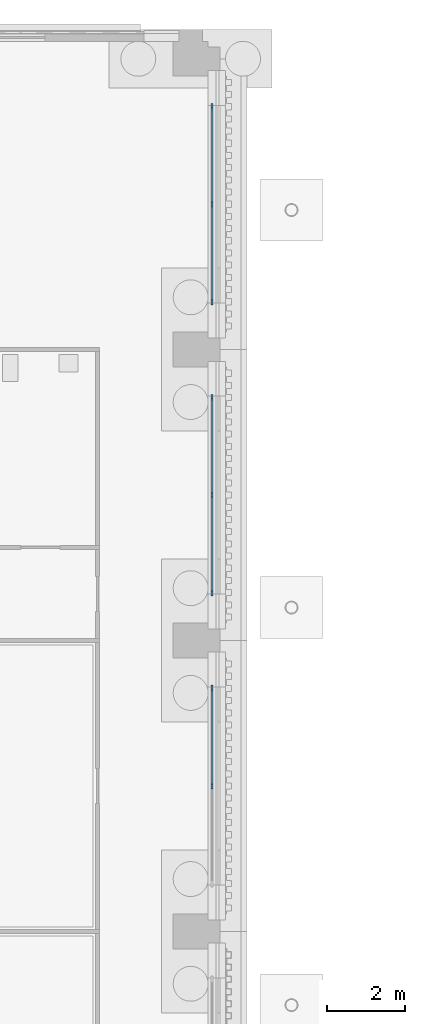
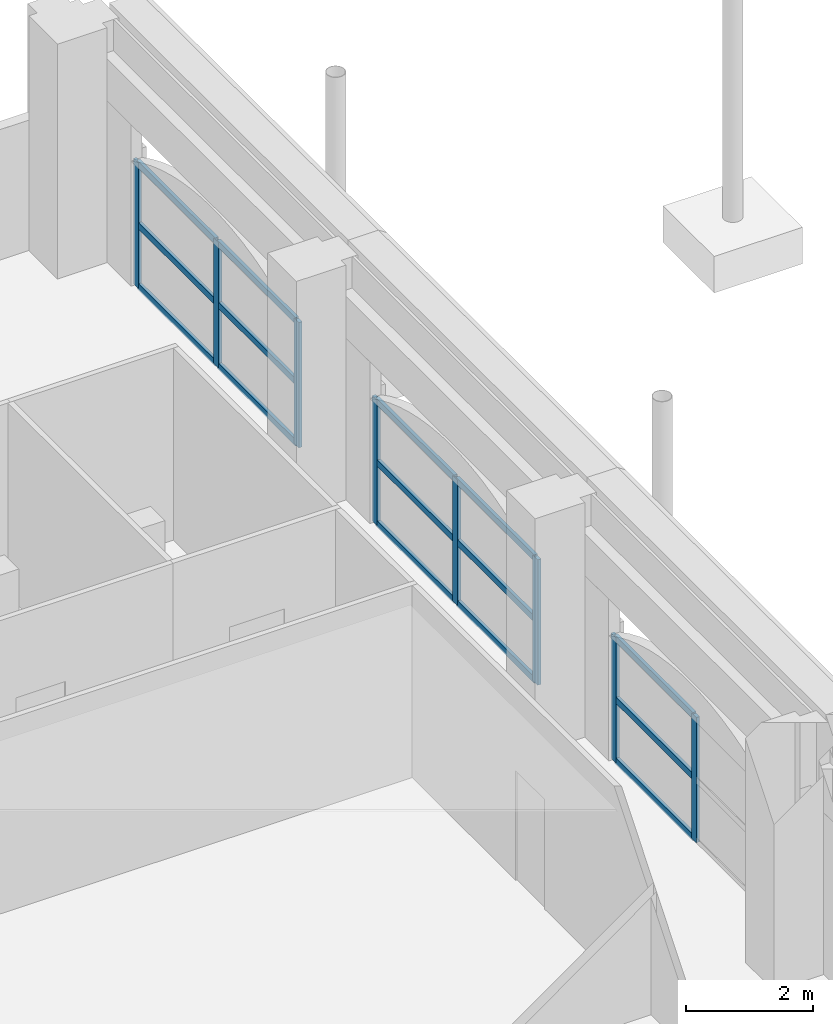
# One storey, part 24 of 99: 23 members, 3 elements without a shape of their own.
"""IFC4 building model written with IfcOpenShell, lengths in metres."""

from ifc_helpers import new_model, si_unit, direction, frame, origin, origin_2d, place, context, subcontext, project, spatial, rectangle, extrude, material, layer, layer_set, material_profile, profile_set, type_object, element, aggregate, save


model = new_model("IFC4")

# Units and contexts
model_context = context("Model", 3, precision=1e-05, world=origin(), true_north=direction((0.0, 1.0)))
body_context = subcontext(model_context, "Body", "Model", "MODEL_VIEW")
ifc_project = project(units=[si_unit("LENGTHUNIT", "METRE"), si_unit("AREAUNIT", "SQUARE_METRE"), si_unit("VOLUMEUNIT", "CUBIC_METRE"), si_unit("PLANEANGLEUNIT", "RADIAN"), si_unit("MASSUNIT", "GRAM", prefix="KILO")], contexts=[model_context])

# Site, building, storey
site_placement = place(None, origin())
site = spatial("IfcSite", under=ifc_project, at=site_placement, CompositionType="ELEMENT")
building_placement = place(site_placement, origin())
building = spatial("IfcBuilding", under=site, at=building_placement, Name="Cour d'Honneur Mobility Palace", CompositionType="ELEMENT")
storey_placement = place(building_placement, origin())
storey = spatial("IfcBuildingStorey", under=building, at=storey_placement, Name="L00", CompositionType="ELEMENT", Elevation=0.0)

# Curtain wall, members
ifc_material_1 = material(Name="Aluminium and glass", Category="aluminium")
ifc_layer = layer(ifc_material_1, 0.10009765625)
ifc_layer_set = layer_set([ifc_layer], Name="Aluminium and glass")
curtain_wall_type = type_object("IfcCurtainWallType", Name="Curtain wall run", PredefinedType="NOTDEFINED", material=ifc_layer_set)
curtain_wall_1_placement = place(storey_placement, origin())
curtain_wall_1 = element("IfcCurtainWall", 1, at=curtain_wall_1_placement, inside=storey, type_object=curtain_wall_type, Name="Curtain wall CW-13", PredefinedType="NOTDEFINED")
ifc_material_2 = material(Name="Aluminium", Category="aluminium")
ifc_material_profile_1 = material_profile(ifc_material_2, rectangle(XDim=0.06005859375, YDim=0.159912109375, at=origin_2d()), Name="Curtain wall mullion")
ifc_profile_set_1 = profile_set([ifc_material_profile_1], Name="Aluminium")
member_type_1 = type_object("IfcMemberType", Name="Curtain wall mullion", PredefinedType="MULLION", material=ifc_profile_set_1)
member_1_placement = place(storey_placement, frame((17.949951171875, 96.14990234375, 0.0), z_axis=(0.0, 0.0, 1.0), x_axis=(-1.0, 0.0, 0.0)))
member_1 = element("IfcMember", 2, at=member_1_placement, type_object=member_type_1, Name="CW-13 mullion 2", PredefinedType="MULLION", context=body_context, shape_type="SweptSolid", body=[
    extrude(rectangle(XDim=0.06005859375, YDim=0.159912109375, at=origin_2d()), origin(), (0.0, 0.0, 1.0), 2.39990234375),
])
member_2_placement = place(storey_placement, frame((17.949951171875, 98.669921875, 0.0), z_axis=(0.0, 0.0, 1.0), x_axis=(-1.0, 0.0, 0.0)))
member_2 = element("IfcMember", 3, at=member_2_placement, type_object=member_type_1, Name="CW-13 mullion 3", PredefinedType="MULLION", context=body_context, shape_type="SweptSolid", body=[
    extrude(rectangle(XDim=0.06005859375, YDim=0.159912109375, at=origin_2d()), origin(), (0.0, 0.0, 1.0), 2.39990234375),
])

curtain_wall_2_placement = place(storey_placement, origin())
curtain_wall_2 = element("IfcCurtainWall", 4, at=curtain_wall_2_placement, inside=storey, type_object=curtain_wall_type, Name="Curtain wall CW-14", PredefinedType="NOTDEFINED")
member_3_placement = place(storey_placement, frame((17.949951171875, 101.1298828125, 0.0), z_axis=(0.0, 0.0, 1.0), x_axis=(-1.0, 0.0, 0.0)))
member_3 = element("IfcMember", 5, at=member_3_placement, type_object=member_type_1, Name="CW-14 mullion 1", PredefinedType="MULLION", context=body_context, shape_type="SweptSolid", body=[
    extrude(rectangle(XDim=0.06005859375, YDim=0.159912109375, at=origin_2d()), origin(), (0.0, 0.0, 1.0), 2.39990234375),
])
member_4_placement = place(storey_placement, frame((17.949951171875, 103.64990234375, 0.0), z_axis=(0.0, 0.0, 1.0), x_axis=(-1.0, 0.0, 0.0)))
member_4 = element("IfcMember", 6, at=member_4_placement, type_object=member_type_1, Name="CW-14 mullion 2", PredefinedType="MULLION", context=body_context, shape_type="SweptSolid", body=[
    extrude(rectangle(XDim=0.06005859375, YDim=0.159912109375, at=origin_2d()), origin(), (0.0, 0.0, 1.0), 2.39990234375),
])
member_5_placement = place(storey_placement, frame((17.949951171875, 106.169921875, 0.0), z_axis=(0.0, 0.0, 1.0), x_axis=(-1.0, 0.0, 0.0)))
member_5 = element("IfcMember", 7, at=member_5_placement, type_object=member_type_1, Name="CW-14 mullion 3", PredefinedType="MULLION", context=body_context, shape_type="SweptSolid", body=[
    extrude(rectangle(XDim=0.06005859375, YDim=0.159912109375, at=origin_2d()), origin(), (0.0, 0.0, 1.0), 2.39990234375),
])

curtain_wall_3_placement = place(storey_placement, origin())
curtain_wall_3 = element("IfcCurtainWall", 8, at=curtain_wall_3_placement, inside=storey, type_object=curtain_wall_type, Name="Curtain wall CW-15", PredefinedType="NOTDEFINED")
member_6_placement = place(storey_placement, frame((17.949951171875, 108.6298828125, 0.0), z_axis=(0.0, 0.0, 1.0), x_axis=(-1.0, 0.0, 0.0)))
member_6 = element("IfcMember", 9, at=member_6_placement, type_object=member_type_1, Name="CW-15 mullion 1", PredefinedType="MULLION", context=body_context, shape_type="SweptSolid", body=[
    extrude(rectangle(XDim=0.06005859375, YDim=0.159912109375, at=origin_2d()), origin(), (0.0, 0.0, 1.0), 2.39990234375),
])
member_7_placement = place(storey_placement, frame((17.949951171875, 111.14990234375, 0.0), z_axis=(0.0, 0.0, 1.0), x_axis=(-1.0, 0.0, 0.0)))
member_7 = element("IfcMember", 10, at=member_7_placement, type_object=member_type_1, Name="CW-15 mullion 2", PredefinedType="MULLION", context=body_context, shape_type="SweptSolid", body=[
    extrude(rectangle(XDim=0.06005859375, YDim=0.159912109375, at=origin_2d()), origin(), (0.0, 0.0, 1.0), 2.39990234375),
])
member_8_placement = place(storey_placement, frame((17.949951171875, 113.669921875, 0.0), z_axis=(0.0, 0.0, 1.0), x_axis=(-1.0, 0.0, 0.0)))
member_8 = element("IfcMember", 11, at=member_8_placement, type_object=member_type_1, Name="CW-15 mullion 3", PredefinedType="MULLION", context=body_context, shape_type="SweptSolid", body=[
    extrude(rectangle(XDim=0.06005859375, YDim=0.159912109375, at=origin_2d()), origin(), (0.0, 0.0, 1.0), 2.39990234375),
])

# Member
ifc_material_3 = material(Name="Aluminium", Category="aluminium")
ifc_material_profile_2 = material_profile(ifc_material_3, rectangle(XDim=0.06005859375, YDim=0.1201171875, at=origin_2d()), Name="Curtain wall transom")
ifc_profile_set_2 = profile_set([ifc_material_profile_2], Name="Aluminium")
member_type_2 = type_object("IfcMemberType", Name="Curtain wall transom", PredefinedType="USERDEFINED", material=ifc_profile_set_2)
member_9_placement = place(storey_placement, frame((17.949951171875, 96.179931640625, 0.030029296875), z_axis=(0.0, 1.0, 0.0), x_axis=(-1.0, 0.0, 0.0)))
member_9 = element("IfcMember", 12, at=member_9_placement, type_object=member_type_2, Name="CW-13 transom 2.1", ObjectType="TRANSOM", PredefinedType="USERDEFINED", context=body_context, shape_type="SweptSolid", body=[
    extrude(rectangle(XDim=0.06005859375, YDim=0.1201171875, at=origin_2d()), origin(), (0.0, 0.0, 1.0), 2.4599609375),
])

member_10_placement = place(storey_placement, frame((17.949951171875, 96.179931640625, 1.199951171875), z_axis=(0.0, 1.0, 0.0), x_axis=(-1.0, 0.0, 0.0)))
member_10 = element("IfcMember", 13, at=member_10_placement, type_object=member_type_2, Name="CW-13 transom 2.2", ObjectType="TRANSOM", PredefinedType="USERDEFINED", context=body_context, shape_type="SweptSolid", body=[
    extrude(rectangle(XDim=0.06005859375, YDim=0.1201171875, at=origin_2d()), origin(), (0.0, 0.0, 1.0), 2.4599609375),
])

member_11_placement = place(storey_placement, frame((17.949951171875, 96.179931640625, 2.3701171875), z_axis=(0.0, 1.0, 0.0), x_axis=(-1.0, 0.0, 0.0)))
member_11 = element("IfcMember", 14, at=member_11_placement, type_object=member_type_2, Name="CW-13 transom 2.3", ObjectType="TRANSOM", PredefinedType="USERDEFINED", context=body_context, shape_type="SweptSolid", body=[
    extrude(rectangle(XDim=0.06005859375, YDim=0.1201171875, at=origin_2d()), origin(), (0.0, 0.0, 1.0), 2.4599609375),
])

aggregate(curtain_wall_1, [member_1, member_2, member_9, member_10, member_11])

member_12_placement = place(storey_placement, frame((17.949951171875, 101.159912109375, 0.030029296875), z_axis=(0.0, 1.0, 0.0), x_axis=(-1.0, 0.0, 0.0)))
member_12 = element("IfcMember", 15, at=member_12_placement, type_object=member_type_2, Name="CW-14 transom 1.1", ObjectType="TRANSOM", PredefinedType="USERDEFINED", context=body_context, shape_type="SweptSolid", body=[
    extrude(rectangle(XDim=0.06005859375, YDim=0.1201171875, at=origin_2d()), origin(), (0.0, 0.0, 1.0), 2.460205078125),
])

member_13_placement = place(storey_placement, frame((17.949951171875, 101.159912109375, 1.199951171875), z_axis=(0.0, 1.0, 0.0), x_axis=(-1.0, 0.0, 0.0)))
member_13 = element("IfcMember", 16, at=member_13_placement, type_object=member_type_2, Name="CW-14 transom 1.2", ObjectType="TRANSOM", PredefinedType="USERDEFINED", context=body_context, shape_type="SweptSolid", body=[
    extrude(rectangle(XDim=0.06005859375, YDim=0.1201171875, at=origin_2d()), origin(), (0.0, 0.0, 1.0), 2.460205078125),
])

member_14_placement = place(storey_placement, frame((17.949951171875, 101.159912109375, 2.3701171875), z_axis=(0.0, 1.0, 0.0), x_axis=(-1.0, 0.0, 0.0)))
member_14 = element("IfcMember", 17, at=member_14_placement, type_object=member_type_2, Name="CW-14 transom 1.3", ObjectType="TRANSOM", PredefinedType="USERDEFINED", context=body_context, shape_type="SweptSolid", body=[
    extrude(rectangle(XDim=0.06005859375, YDim=0.1201171875, at=origin_2d()), origin(), (0.0, 0.0, 1.0), 2.460205078125),
])

member_15_placement = place(storey_placement, frame((17.949951171875, 103.679931640625, 0.030029296875), z_axis=(0.0, 1.0, 0.0), x_axis=(-1.0, 0.0, 0.0)))
member_15 = element("IfcMember", 18, at=member_15_placement, type_object=member_type_2, Name="CW-14 transom 2.1", ObjectType="TRANSOM", PredefinedType="USERDEFINED", context=body_context, shape_type="SweptSolid", body=[
    extrude(rectangle(XDim=0.06005859375, YDim=0.1201171875, at=origin_2d()), origin(), (0.0, 0.0, 1.0), 2.4599609375),
])

member_16_placement = place(storey_placement, frame((17.949951171875, 103.679931640625, 1.199951171875), z_axis=(0.0, 1.0, 0.0), x_axis=(-1.0, 0.0, 0.0)))
member_16 = element("IfcMember", 19, at=member_16_placement, type_object=member_type_2, Name="CW-14 transom 2.2", ObjectType="TRANSOM", PredefinedType="USERDEFINED", context=body_context, shape_type="SweptSolid", body=[
    extrude(rectangle(XDim=0.06005859375, YDim=0.1201171875, at=origin_2d()), origin(), (0.0, 0.0, 1.0), 2.4599609375),
])

member_17_placement = place(storey_placement, frame((17.949951171875, 103.679931640625, 2.3701171875), z_axis=(0.0, 1.0, 0.0), x_axis=(-1.0, 0.0, 0.0)))
member_17 = element("IfcMember", 20, at=member_17_placement, type_object=member_type_2, Name="CW-14 transom 2.3", ObjectType="TRANSOM", PredefinedType="USERDEFINED", context=body_context, shape_type="SweptSolid", body=[
    extrude(rectangle(XDim=0.06005859375, YDim=0.1201171875, at=origin_2d()), origin(), (0.0, 0.0, 1.0), 2.4599609375),
])

aggregate(curtain_wall_2, [member_3, member_4, member_5, member_12, member_13, member_14, member_15, member_16, member_17])

member_18_placement = place(storey_placement, frame((17.949951171875, 108.659912109375, 0.030029296875), z_axis=(0.0, 1.0, 0.0), x_axis=(-1.0, 0.0, 0.0)))
member_18 = element("IfcMember", 21, at=member_18_placement, type_object=member_type_2, Name="CW-15 transom 1.1", ObjectType="TRANSOM", PredefinedType="USERDEFINED", context=body_context, shape_type="SweptSolid", body=[
    extrude(rectangle(XDim=0.06005859375, YDim=0.1201171875, at=origin_2d()), origin(), (0.0, 0.0, 1.0), 2.460205078125),
])

member_19_placement = place(storey_placement, frame((17.949951171875, 108.659912109375, 1.199951171875), z_axis=(0.0, 1.0, 0.0), x_axis=(-1.0, 0.0, 0.0)))
member_19 = element("IfcMember", 22, at=member_19_placement, type_object=member_type_2, Name="CW-15 transom 1.2", ObjectType="TRANSOM", PredefinedType="USERDEFINED", context=body_context, shape_type="SweptSolid", body=[
    extrude(rectangle(XDim=0.06005859375, YDim=0.1201171875, at=origin_2d()), origin(), (0.0, 0.0, 1.0), 2.460205078125),
])

member_20_placement = place(storey_placement, frame((17.949951171875, 108.659912109375, 2.3701171875), z_axis=(0.0, 1.0, 0.0), x_axis=(-1.0, 0.0, 0.0)))
member_20 = element("IfcMember", 23, at=member_20_placement, type_object=member_type_2, Name="CW-15 transom 1.3", ObjectType="TRANSOM", PredefinedType="USERDEFINED", context=body_context, shape_type="SweptSolid", body=[
    extrude(rectangle(XDim=0.06005859375, YDim=0.1201171875, at=origin_2d()), origin(), (0.0, 0.0, 1.0), 2.460205078125),
])

member_21_placement = place(storey_placement, frame((17.949951171875, 111.179931640625, 0.030029296875), z_axis=(0.0, 1.0, 0.0), x_axis=(-1.0, 0.0, 0.0)))
member_21 = element("IfcMember", 24, at=member_21_placement, type_object=member_type_2, Name="CW-15 transom 2.1", ObjectType="TRANSOM", PredefinedType="USERDEFINED", context=body_context, shape_type="SweptSolid", body=[
    extrude(rectangle(XDim=0.06005859375, YDim=0.1201171875, at=origin_2d()), origin(), (0.0, 0.0, 1.0), 2.4599609375),
])

member_22_placement = place(storey_placement, frame((17.949951171875, 111.179931640625, 1.199951171875), z_axis=(0.0, 1.0, 0.0), x_axis=(-1.0, 0.0, 0.0)))
member_22 = element("IfcMember", 25, at=member_22_placement, type_object=member_type_2, Name="CW-15 transom 2.2", ObjectType="TRANSOM", PredefinedType="USERDEFINED", context=body_context, shape_type="SweptSolid", body=[
    extrude(rectangle(XDim=0.06005859375, YDim=0.1201171875, at=origin_2d()), origin(), (0.0, 0.0, 1.0), 2.4599609375),
])

member_23_placement = place(storey_placement, frame((17.949951171875, 111.179931640625, 2.3701171875), z_axis=(0.0, 1.0, 0.0), x_axis=(-1.0, 0.0, 0.0)))
member_23 = element("IfcMember", 26, at=member_23_placement, type_object=member_type_2, Name="CW-15 transom 2.3", ObjectType="TRANSOM", PredefinedType="USERDEFINED", context=body_context, shape_type="SweptSolid", body=[
    extrude(rectangle(XDim=0.06005859375, YDim=0.1201171875, at=origin_2d()), origin(), (0.0, 0.0, 1.0), 2.4599609375),
])

aggregate(curtain_wall_3, [member_6, member_7, member_8, member_18, member_19, member_20, member_21, member_22, member_23])

save(model, "model.ifc")
